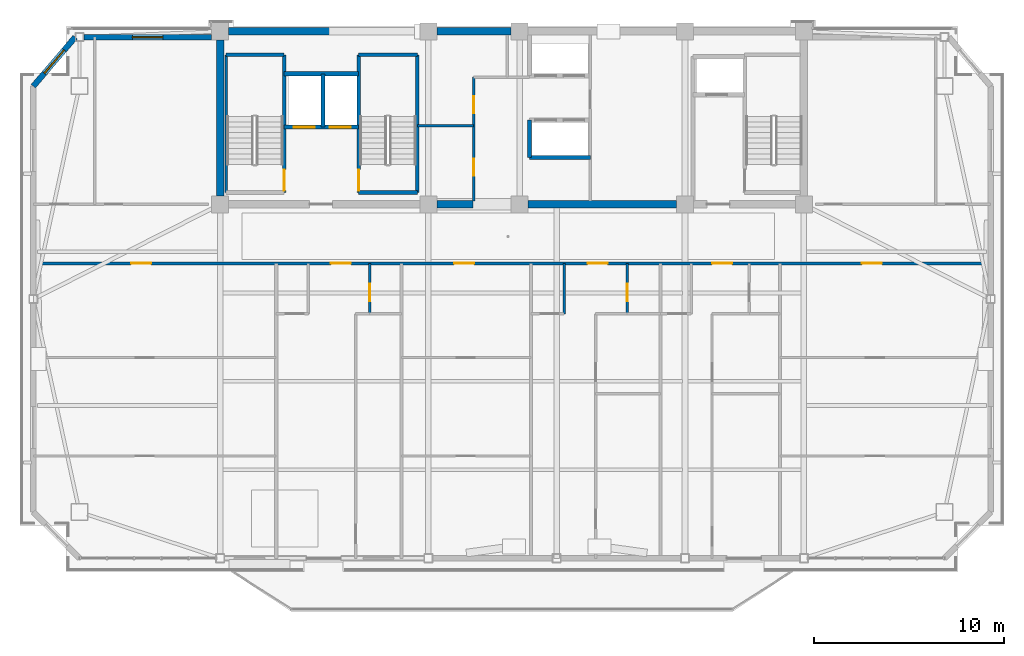
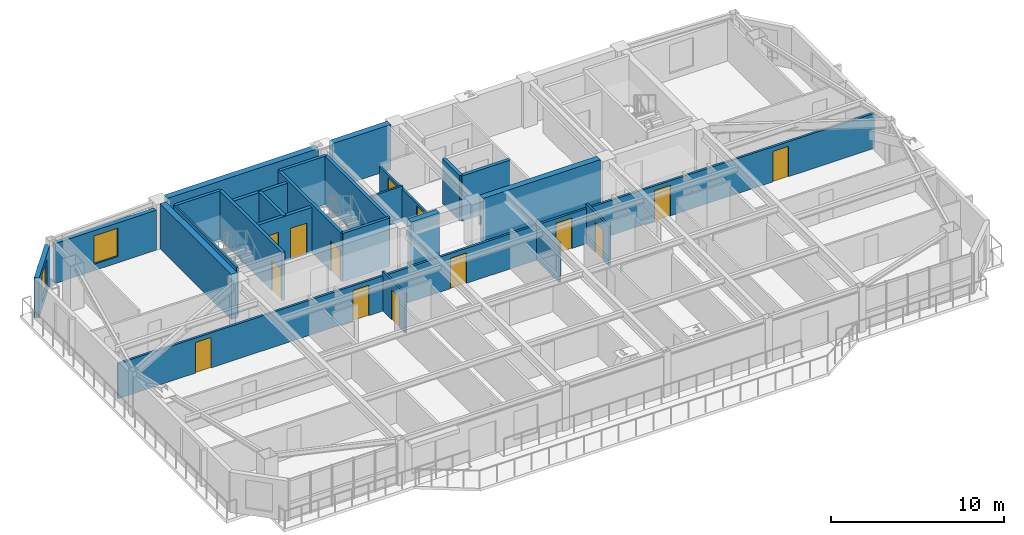
# One storey, part 8 of 15: 25 walls, 14 doors, 2 windows, 16 openings.
"""IFC4 building model written with IfcOpenShell, lengths in metres."""

from ifc_helpers import new_model, si_unit, direction, frame, frame_2d, origin, place, context, subcontext, project, spatial, rectangle, extrude, source, transform, mapped, material, layer, layer_set, type_object, element, fill, save


model = new_model("IFC4")

# Units and contexts
model_context = context("Model", 3, precision=1e-05, world=origin(), true_north=direction((0.0, 1.0)))
body_context = subcontext(model_context, "Body", "Model", "MODEL_VIEW")
ifc_project = project(units=[si_unit("LENGTHUNIT", "METRE"), si_unit("AREAUNIT", "SQUARE_METRE"), si_unit("VOLUMEUNIT", "CUBIC_METRE"), si_unit("PLANEANGLEUNIT", "RADIAN"), si_unit("MASSUNIT", "GRAM", prefix="KILO")], contexts=[model_context])

# Site, building, storey
site_placement = place(None, origin())
site = spatial("IfcSite", under=ifc_project, at=site_placement, CompositionType="ELEMENT")
building_placement = place(site_placement, origin())
building = spatial("IfcBuilding", under=site, at=building_placement, Name="Giltprow Tower", CompositionType="ELEMENT")
storey_placement = place(building_placement, frame((0.0, 0.0, 297.199951171875)))
storey = spatial("IfcBuildingStorey", under=building, at=storey_placement, Name="L76", CompositionType="ELEMENT", Elevation=297.199951171875)

# Wall, opening, window
ifc_material_1 = material(Name="Precast concrete C40", Category="concrete")
ifc_layer_1 = layer(ifc_material_1, 0.300048828125, Name="Precast concrete C40")
ifc_layer_set_1 = layer_set([ifc_layer_1], Name="Precast concrete C40")
wall_type_1 = type_object("IfcWallType", Name="EW-NOTCH-CHAMFER-300", PredefinedType="SOLIDWALL", material=ifc_layer_set_1)
wall_1_placement = place(storey_placement, frame((12.22998046875, 46.25, 0.0), z_axis=(0.0, 0.0, 1.0), x_axis=(-0.649724860602, -0.76016945842, 0.0)))
wall_1 = element("IfcWall", 1, at=wall_1_placement, inside=storey, type_object=wall_type_1, Name="L76 Corner Notch Wall NW", PredefinedType="SOLIDWALL", context=body_context, shape_type="SweptSolid", body=[
    extrude(rectangle(XDim=3.395263671875, YDim=0.300048828125, at=frame_2d((1.69775390625, 0.0))), origin(), (0.0, 0.0, 1.0), 2.81494140625),
])
opening_1_placement = place(wall_1_placement, frame((0.89794921875, 0.0, 0.449951171875)))
opening_1 = element("IfcOpeningElement", 2, at=opening_1_placement, cuts=wall_1, Name="Opening WN17", PredefinedType="OPENING", context=body_context, shape_type="SweptSolid", body=[
    extrude(rectangle(XDim=1.60009765625, YDim=2.0, at=frame_2d((0.800048828125, 1.0))), frame((0.0, 0.159912109375, 0.0), z_axis=(0.0, -1.0, 0.0), x_axis=(1.0, 0.0, 0.0)), (0.0, 0.0, 1.0), 0.320068359375),
])
ifc_material_2 = material(Name="Insulated glass", Category="glass")
window_type = type_object("IfcWindowType", Name="WN-COR-1600x2000", PartitioningType="SINGLE_PANEL", PredefinedType="WINDOW", material=ifc_material_2)
shared_shape_1 = source(origin(), body_context, "Body", "SweptSolid", [
    extrude(rectangle(XDim=1.60009765625, YDim=2.0, at=frame_2d((0.800048828125, 1.0))), frame((0.0, 0.030029296875, 0.0), z_axis=(0.0, -1.0, 0.0), x_axis=(1.0, 0.0, 0.0)), (0.0, 0.0, 1.0), 0.06005859375),
])
window_1_placement = place(opening_1_placement, origin())
window_1 = element("IfcWindow", 3, at=window_1_placement, inside=storey, type_object=window_type, Name="L76 Corner Notch Window NW", OverallHeight=2.0, OverallWidth=1.60009765625, PartitioningType="SINGLE_PANEL", PredefinedType="WINDOW", context=body_context, shape_type="MappedRepresentation", body=[
    mapped(shared_shape_1, transform((0.0, 0.0, 0.0), x_axis=(1.0, 0.0, 0.0), y_axis=(0.0, 1.0, 0.0), z_axis=(0.0, 0.0, 1.0), scale=1.0)),
])
fill(opening_1, window_1)

ifc_layer_2 = layer(ifc_material_1, 0.280029296875, Name="Precast concrete C40")
ifc_layer_set_2 = layer_set([ifc_layer_2], Name="Precast concrete C40")
wall_type_2 = type_object("IfcWallType", Name="EW-TOW-BRONZE-280", PredefinedType="SOLIDWALL", material=ifc_layer_set_2)
wall_2_placement = place(storey_placement, frame((12.679931640625, 46.25, 0.0), z_axis=(0.0, 0.0, 1.0), x_axis=(1.0, 0.0, 0.0)))
wall_2 = element("IfcWall", 4, at=wall_2_placement, inside=storey, type_object=wall_type_2, Name="L76 North-West Wing Wall", PredefinedType="SOLIDWALL", context=body_context, shape_type="SweptSolid", body=[
    extrude(rectangle(XDim=6.719970703125, YDim=0.280029296875, at=frame_2d((3.35986328125, 0.0))), origin(), (0.0, 0.0, 1.0), 2.81494140625),
])
opening_2_placement = place(wall_2_placement, frame((2.56005859375, 0.0, 0.449951171875)))
opening_2 = element("IfcOpeningElement", 5, at=opening_2_placement, cuts=wall_2, Name="Opening WN17", PredefinedType="OPENING", context=body_context, shape_type="SweptSolid", body=[
    extrude(rectangle(XDim=1.60009765625, YDim=2.0, at=frame_2d((0.800048828125, 1.0))), frame((0.0, 0.14990234375, 0.0), z_axis=(0.0, -1.0, 0.0), x_axis=(1.0, 0.0, 0.0)), (0.0, 0.0, 1.0), 0.300048828125),
])
window_2_placement = place(opening_2_placement, origin())
window_2 = element("IfcWindow", 6, at=window_2_placement, inside=storey, type_object=window_type, Name="L76 North-West Window", OverallHeight=2.0, OverallWidth=1.60009765625, PartitioningType="SINGLE_PANEL", PredefinedType="WINDOW", context=body_context, shape_type="MappedRepresentation", body=[
    mapped(shared_shape_1, transform((0.0, 0.0, 0.0), x_axis=(1.0, 0.0, 0.0), y_axis=(0.0, 1.0, 0.0), z_axis=(0.0, 0.0, 1.0), scale=1.0)),
])
fill(opening_2, window_2)

# Wall, openings, doors
ifc_material_3 = material(Name="Gypsum stud partition", Category="gypsum")
ifc_layer_3 = layer(ifc_material_3, 0.14990234375, Name="Gypsum stud partition")
ifc_layer_set_3 = layer_set([ifc_layer_3], Name="Gypsum stud partition")
wall_type_3 = type_object("IfcWallType", Name="IW-CORR-150", PredefinedType="PARTITIONING", material=ifc_layer_set_3)
wall_3_placement = place(storey_placement, frame((10.02392578125, 34.35009765625, 0.0), z_axis=(0.0, 0.0, 1.0), x_axis=(1.0, 0.0, 0.0)))
wall_3 = element("IfcWall", 7, at=wall_3_placement, inside=storey, type_object=wall_type_3, Name="L76 Residence Gallery Corridor Wall", PredefinedType="PARTITIONING", context=body_context, shape_type="SweptSolid", body=[
    extrude(rectangle(XDim=50.35205078125, YDim=0.14990234375, at=frame_2d((25.176025390625, 0.0))), origin(), (0.0, 0.0, 1.0), 2.469970703125),
])
opening_3_placement = place(wall_3_placement, frame((5.14794921875, 0.0, 0.0)))
opening_3 = element("IfcOpeningElement", 8, at=opening_3_placement, cuts=wall_3, Name="Opening ID31", PredefinedType="OPENING", context=body_context, shape_type="SweptSolid", body=[
    extrude(rectangle(XDim=1.050048828125, YDim=2.14990234375, at=frame_2d((0.52490234375, 1.074951171875))), frame((0.0, 0.0849609375, 0.0), z_axis=(0.0, -1.0, 0.0), x_axis=(1.0, 0.0, 0.0)), (0.0, 0.0, 1.0), 0.169921875),
])
opening_4_placement = place(wall_3_placement, frame((15.65087890625, 0.0, 0.0)))
opening_4 = element("IfcOpeningElement", 9, at=opening_4_placement, cuts=wall_3, Name="Opening ID31", PredefinedType="OPENING", context=body_context, shape_type="SweptSolid", body=[
    extrude(rectangle(XDim=1.050048828125, YDim=2.14990234375, at=frame_2d((0.52490234375, 1.074951171875))), frame((0.0, 0.0849609375, 0.0), z_axis=(0.0, -1.0, 0.0), x_axis=(1.0, 0.0, 0.0)), (0.0, 0.0, 1.0), 0.169921875),
])
opening_5_placement = place(wall_3_placement, frame((22.12890625, 0.0, 0.0)))
opening_5 = element("IfcOpeningElement", 10, at=opening_5_placement, cuts=wall_3, Name="Opening ID31", PredefinedType="OPENING", context=body_context, shape_type="SweptSolid", body=[
    extrude(rectangle(XDim=1.050048828125, YDim=2.14990234375, at=frame_2d((0.52490234375, 1.074951171875))), frame((0.0, 0.0849609375, 0.0), z_axis=(0.0, -1.0, 0.0), x_axis=(1.0, 0.0, 0.0)), (0.0, 0.0, 1.0), 0.169921875),
])
opening_6_placement = place(wall_3_placement, frame((29.15087890625, 0.0, 0.0)))
opening_6 = element("IfcOpeningElement", 11, at=opening_6_placement, cuts=wall_3, Name="Opening ID31", PredefinedType="OPENING", context=body_context, shape_type="SweptSolid", body=[
    extrude(rectangle(XDim=1.050048828125, YDim=2.14990234375, at=frame_2d((0.52490234375, 1.074951171875))), frame((0.0, 0.0849609375, 0.0), z_axis=(0.0, -1.0, 0.0), x_axis=(1.0, 0.0, 0.0)), (0.0, 0.0, 1.0), 0.169921875),
])
opening_7_placement = place(wall_3_placement, frame((35.700927734375, 0.0, 0.0)))
opening_7 = element("IfcOpeningElement", 12, at=opening_7_placement, cuts=wall_3, Name="Opening ID31", PredefinedType="OPENING", context=body_context, shape_type="SweptSolid", body=[
    extrude(rectangle(XDim=1.050048828125, YDim=2.14990234375, at=frame_2d((0.52490234375, 1.074951171875))), frame((0.0, 0.0849609375, 0.0), z_axis=(0.0, -1.0, 0.0), x_axis=(1.0, 0.0, 0.0)), (0.0, 0.0, 1.0), 0.169921875),
])
opening_8_placement = place(wall_3_placement, frame((43.577880859375, 0.0, 0.0)))
opening_8 = element("IfcOpeningElement", 13, at=opening_8_placement, cuts=wall_3, Name="Opening ID31", PredefinedType="OPENING", context=body_context, shape_type="SweptSolid", body=[
    extrude(rectangle(XDim=1.050048828125, YDim=2.14990234375, at=frame_2d((0.52490234375, 1.074951171875))), frame((0.0, 0.0849609375, 0.0), z_axis=(0.0, -1.0, 0.0), x_axis=(1.0, 0.0, 0.0)), (0.0, 0.0, 1.0), 0.169921875),
])
ifc_material_4 = material(Name="Engineered timber", Category="wood")
door_type_1 = type_object("IfcDoorType", Name="DR-SUITE-1050", OperationType="SINGLE_SWING_LEFT", PredefinedType="DOOR", material=ifc_material_4)
shared_shape_2 = source(origin(), body_context, "Body", "SweptSolid", [
    extrude(rectangle(XDim=1.050048828125, YDim=2.14990234375, at=frame_2d((0.52490234375, 1.074951171875))), frame((0.0, 0.02490234375, 0.0), z_axis=(0.0, -1.0, 0.0), x_axis=(1.0, 0.0, 0.0)), (0.0, 0.0, 1.0), 0.050048828125),
])
door_1_placement = place(opening_3_placement, origin())
door_1 = element("IfcDoor", 14, at=door_1_placement, inside=storey, type_object=door_type_1, Name="L76 Altitude Pilates Gym 1 North Door", OperationType="SINGLE_SWING_RIGHT", OverallHeight=2.14990234375, OverallWidth=1.050048828125, PredefinedType="DOOR", context=body_context, shape_type="MappedRepresentation", body=[
    mapped(shared_shape_2, transform((0.0, 0.0, 0.0), x_axis=(1.0, 0.0, 0.0), y_axis=(0.0, 1.0, 0.0), z_axis=(0.0, 0.0, 1.0), scale=1.0)),
])
fill(opening_3, door_1)
door_2_placement = place(opening_4_placement, origin())
door_2 = element("IfcDoor", 15, at=door_2_placement, inside=storey, type_object=door_type_1, Name="L76 Unit 1 Entrance Door", OperationType="SINGLE_SWING_LEFT", OverallHeight=2.14990234375, OverallWidth=1.050048828125, PredefinedType="DOOR", context=body_context, shape_type="MappedRepresentation", body=[
    mapped(shared_shape_2, transform((0.0, 0.0, 0.0), x_axis=(1.0, 0.0, 0.0), y_axis=(0.0, 1.0, 0.0), z_axis=(0.0, 0.0, 1.0), scale=1.0)),
])
fill(opening_4, door_2)
door_3_placement = place(opening_5_placement, origin())
door_3 = element("IfcDoor", 16, at=door_3_placement, inside=storey, type_object=door_type_1, Name="L76 Meditation Gym 2 North Door", OperationType="SINGLE_SWING_LEFT", OverallHeight=2.14990234375, OverallWidth=1.050048828125, PredefinedType="DOOR", context=body_context, shape_type="MappedRepresentation", body=[
    mapped(shared_shape_2, transform((0.0, 0.0, 0.0), x_axis=(1.0, 0.0, 0.0), y_axis=(0.0, 1.0, 0.0), z_axis=(0.0, 0.0, 1.0), scale=1.0)),
])
fill(opening_5, door_3)
door_4_placement = place(opening_6_placement, origin())
door_4 = element("IfcDoor", 17, at=door_4_placement, inside=storey, type_object=door_type_1, Name="L76 Unit 2 Entrance Door", OperationType="SINGLE_SWING_RIGHT", OverallHeight=2.14990234375, OverallWidth=1.050048828125, PredefinedType="DOOR", context=body_context, shape_type="MappedRepresentation", body=[
    mapped(shared_shape_2, transform((0.0, 0.0, 0.0), x_axis=(1.0, 0.0, 0.0), y_axis=(0.0, 1.0, 0.0), z_axis=(0.0, 0.0, 1.0), scale=1.0)),
])
fill(opening_6, door_4)
door_5_placement = place(opening_7_placement, origin())
door_5 = element("IfcDoor", 18, at=door_5_placement, inside=storey, type_object=door_type_1, Name="L76 Unit 3 Entrance Door", OperationType="SINGLE_SWING_LEFT", OverallHeight=2.14990234375, OverallWidth=1.050048828125, PredefinedType="DOOR", context=body_context, shape_type="MappedRepresentation", body=[
    mapped(shared_shape_2, transform((0.0, 0.0, 0.0), x_axis=(1.0, 0.0, 0.0), y_axis=(0.0, 1.0, 0.0), z_axis=(0.0, 0.0, 1.0), scale=1.0)),
])
fill(opening_7, door_5)
door_6_placement = place(opening_8_placement, origin())
door_6 = element("IfcDoor", 19, at=door_6_placement, inside=storey, type_object=door_type_1, Name="L76 Sky Yoga Gym 3 North Door", OperationType="SINGLE_SWING_RIGHT", OverallHeight=2.14990234375, OverallWidth=1.050048828125, PredefinedType="DOOR", context=body_context, shape_type="MappedRepresentation", body=[
    mapped(shared_shape_2, transform((0.0, 0.0, 0.0), x_axis=(1.0, 0.0, 0.0), y_axis=(0.0, 1.0, 0.0), z_axis=(0.0, 0.0, 1.0), scale=1.0)),
])
fill(opening_8, door_6)

ifc_material_5 = material(Name="Concrete C40", Category="concrete")
ifc_layer_4 = layer(ifc_material_5, 0.219970703125, Name="Concrete C40")
ifc_layer_set_4 = layer_set([ifc_layer_4], Name="Concrete C40")
wall_type_4 = type_object("IfcWallType", Name="IW-SHAFT-220", PredefinedType="SOLIDWALL", material=ifc_layer_set_4)
wall_4_placement = place(storey_placement, frame((23.219970703125, 41.52001953125, 0.0), z_axis=(0.0, 0.0, 1.0), x_axis=(1.0, 0.0, 0.0)))
wall_4 = element("IfcWall", 20, at=wall_4_placement, inside=storey, type_object=wall_type_4, Name="L76 FFL1 and Service Lift Front Wall", PredefinedType="SOLIDWALL", context=body_context, shape_type="SweptSolid", body=[
    extrude(rectangle(XDim=3.919921875, YDim=0.219970703125, at=frame_2d((1.9599609375, 0.0))), origin(), (0.0, 0.0, 1.0), 3.18505859375),
])
opening_9_placement = place(wall_4_placement, frame((0.5, 0.0, 0.0)))
opening_9 = element("IfcOpeningElement", 21, at=opening_9_placement, cuts=wall_4, Name="Opening LD-11", PredefinedType="OPENING", context=body_context, shape_type="SweptSolid", body=[
    extrude(rectangle(XDim=1.10009765625, YDim=2.199951171875, at=frame_2d((0.550048828125, 1.10009765625))), frame((0.0, 0.119873046875, 0.0), z_axis=(0.0, -1.0, 0.0), x_axis=(1.0, 0.0, 0.0)), (0.0, 0.0, 1.0), 0.239990234375),
])
opening_10_placement = place(wall_4_placement, frame((2.39990234375, 0.0, 0.0)))
opening_10 = element("IfcOpeningElement", 22, at=opening_10_placement, cuts=wall_4, Name="Opening LD-11", PredefinedType="OPENING", context=body_context, shape_type="SweptSolid", body=[
    extrude(rectangle(XDim=1.10009765625, YDim=2.199951171875, at=frame_2d((0.550048828125, 1.10009765625))), frame((0.0, 0.119873046875, 0.0), z_axis=(0.0, -1.0, 0.0), x_axis=(1.0, 0.0, 0.0)), (0.0, 0.0, 1.0), 0.239990234375),
])
ifc_material_6 = material(Name="Stainless steel", Category="steel")
door_type_2 = type_object("IfcDoorType", Name="DR-LIFT-LD1100", OperationType="SLIDING_TO_LEFT", PredefinedType="DOOR", material=ifc_material_6)
shared_shape_3 = source(origin(), body_context, "Body", "SweptSolid", [
    extrude(rectangle(XDim=1.10009765625, YDim=2.199951171875, at=frame_2d((0.550048828125, 1.10009765625))), frame((0.0, 0.02490234375, 0.0), z_axis=(0.0, -1.0, 0.0), x_axis=(1.0, 0.0, 0.0)), (0.0, 0.0, 1.0), 0.050048828125),
])
door_7_placement = place(opening_9_placement, origin())
door_7 = element("IfcDoor", 23, at=door_7_placement, inside=storey, type_object=door_type_2, Name="L76 FFL1 Landing Door", OperationType="SLIDING_TO_LEFT", OverallHeight=2.199951171875, OverallWidth=1.10009765625, PredefinedType="DOOR", context=body_context, shape_type="MappedRepresentation", body=[
    mapped(shared_shape_3, transform((0.0, 0.0, 0.0), x_axis=(1.0, 0.0, 0.0), y_axis=(0.0, 1.0, 0.0), z_axis=(0.0, 0.0, 1.0), scale=1.0)),
])
fill(opening_9, door_7)
door_8_placement = place(opening_10_placement, origin())
door_8 = element("IfcDoor", 24, at=door_8_placement, inside=storey, type_object=door_type_2, Name="L76 SVL1 Landing Door", OperationType="SLIDING_TO_LEFT", OverallHeight=2.199951171875, OverallWidth=1.10009765625, PredefinedType="DOOR", context=body_context, shape_type="MappedRepresentation", body=[
    mapped(shared_shape_3, transform((0.0, 0.0, 0.0), x_axis=(1.0, 0.0, 0.0), y_axis=(0.0, 1.0, 0.0), z_axis=(0.0, 0.0, 1.0), scale=1.0)),
])
fill(opening_10, door_8)

# Walls
wall_5_placement = place(storey_placement, frame((25.260009765625, 41.52001953125, 0.0), z_axis=(0.0, 0.0, 1.0), x_axis=(0.0, 1.0, 0.0)))
element("IfcWall", 25, at=wall_5_placement, inside=storey, type_object=wall_type_4, Name="L76 FFL1-SVL1 Shaft Divider", PredefinedType="SOLIDWALL", context=body_context, shape_type="SweptSolid", body=[
    extrude(rectangle(XDim=2.800048828125, YDim=0.219970703125, at=frame_2d((1.39990234375, 0.0))), origin(), (0.0, 0.0, 1.0), 3.18505859375),
])
wall_6_placement = place(storey_placement, frame((23.219970703125, 44.320068359375, 0.0), z_axis=(0.0, 0.0, 1.0), x_axis=(1.0, 0.0, 0.0)))
element("IfcWall", 26, at=wall_6_placement, inside=storey, type_object=wall_type_4, Name="L76 FFL1-SVL1 Back Shaft Wall", PredefinedType="SOLIDWALL", context=body_context, shape_type="SweptSolid", body=[
    extrude(rectangle(XDim=3.919921875, YDim=0.219970703125, at=frame_2d((1.9599609375, 0.0))), origin(), (0.0, 0.0, 1.0), 3.18505859375),
])
wall_7_placement = place(storey_placement, frame((36.1201171875, 39.919921875, 0.0), z_axis=(0.0, 0.0, 1.0), x_axis=(1.0, 0.0, 0.0)))
element("IfcWall", 27, at=wall_7_placement, inside=storey, type_object=wall_type_4, Name="L76 High-Rise South Lift Back Wall", PredefinedType="SOLIDWALL", context=body_context, shape_type="SweptSolid", body=[
    extrude(rectangle(XDim=3.199951171875, YDim=0.219970703125, at=frame_2d((1.60009765625, 0.0))), origin(), (0.0, 0.0, 1.0), 3.18505859375),
])
wall_8_placement = place(storey_placement, frame((36.1201171875, 39.919921875, 0.0), z_axis=(0.0, 0.0, 1.0), x_axis=(0.0, 1.0, 0.0)))
element("IfcWall", 28, at=wall_8_placement, inside=storey, type_object=wall_type_4, Name="L76 High-Rise South Lift West Closure", PredefinedType="SOLIDWALL", context=body_context, shape_type="SweptSolid", body=[
    extrude(rectangle(XDim=1.9599609375, YDim=0.219970703125, at=frame_2d((0.97998046875, 0.0))), origin(), (0.0, 0.0, 1.0), 3.18505859375),
])
ifc_material_7 = material(Name="Concrete C45", Category="concrete")
ifc_layer_5 = layer(ifc_material_7, 0.139892578125, Name="Concrete C45")
ifc_layer_set_5 = layer_set([ifc_layer_5], Name="Concrete C45")
wall_type_5 = type_object("IfcWallType", Name="IW-STAIR-140", PredefinedType="SOLIDWALL", material=ifc_layer_set_5)
wall_9_placement = place(storey_placement, frame((20.169921875, 38.070068359375, 0.0), z_axis=(0.0, 0.0, 1.0), x_axis=(0.0, 1.0, 0.0)))
element("IfcWall", 29, at=wall_9_placement, inside=storey, type_object=wall_type_5, Name="L76 Stair ST-1 West Bearing Wall", PredefinedType="SOLIDWALL", context=body_context, shape_type="SweptSolid", body=[
    extrude(rectangle(XDim=7.25, YDim=0.139892578125, at=frame_2d((3.625, 0.0))), origin(), (0.0, 0.0, 1.0), 3.400146484375),
])

# Wall, opening, door
ifc_layer_6 = layer(ifc_material_5, 0.199951171875, Name="Concrete C40")
ifc_layer_set_6 = layer_set([ifc_layer_6], Name="Concrete C40")
wall_type_6 = type_object("IfcWallType", Name="IW-STAIR-200", PredefinedType="SOLIDWALL", material=ifc_layer_set_6)
wall_10_placement = place(storey_placement, frame((23.219970703125, 38.070068359375, 0.0), z_axis=(0.0, 0.0, 1.0), x_axis=(0.0, 1.0, 0.0)))
wall_10 = element("IfcWall", 30, at=wall_10_placement, inside=storey, type_object=wall_type_6, Name="L76 Stair ST-1 East Bearing Wall", PredefinedType="SOLIDWALL", context=body_context, shape_type="SweptSolid", body=[
    extrude(rectangle(XDim=7.25, YDim=0.199951171875, at=frame_2d((3.625, 0.0))), origin(), (0.0, 0.0, 1.0), 3.400146484375),
])
opening_11_placement = place(wall_10_placement, frame((0.110107421875, 0.0, 0.0)))
opening_11 = element("IfcOpeningElement", 31, at=opening_11_placement, cuts=wall_10, Name="Opening ID33", PredefinedType="OPENING", context=body_context, shape_type="SweptSolid", body=[
    extrude(rectangle(XDim=1.10009765625, YDim=2.14990234375, at=frame_2d((0.550048828125, 1.074951171875))), frame((0.0, 0.10986328125, 0.0), z_axis=(0.0, -1.0, 0.0), x_axis=(1.0, 0.0, 0.0)), (0.0, 0.0, 1.0), 0.219970703125),
])
ifc_material_8 = material(Name="Steel fire leaf", Category="steel")
door_type_3 = type_object("IfcDoorType", Name="DR-STAIR-1100", OperationType="SINGLE_SWING_LEFT", PredefinedType="DOOR", material=ifc_material_8)
shared_shape_4 = source(origin(), body_context, "Body", "SweptSolid", [
    extrude(rectangle(XDim=1.10009765625, YDim=2.14990234375, at=frame_2d((0.550048828125, 1.074951171875))), frame((0.0, 0.02490234375, 0.0), z_axis=(0.0, -1.0, 0.0), x_axis=(1.0, 0.0, 0.0)), (0.0, 0.0, 1.0), 0.050048828125),
])
door_9_placement = place(opening_11_placement, origin())
door_9 = element("IfcDoor", 32, at=door_9_placement, inside=storey, type_object=door_type_3, Name="L76 Stair ST-1 Fire Door", OperationType="SINGLE_SWING_RIGHT", OverallHeight=2.14990234375, OverallWidth=1.10009765625, PredefinedType="DOOR", context=body_context, shape_type="MappedRepresentation", body=[
    mapped(shared_shape_4, transform((0.0, 0.0, 0.0), x_axis=(1.0, 0.0, 0.0), y_axis=(0.0, 1.0, 0.0), z_axis=(0.0, 0.0, 1.0), scale=1.0)),
])
fill(opening_11, door_9)

# Wall
wall_11_placement = place(storey_placement, frame((20.169921875, 45.320068359375, 0.0), z_axis=(0.0, 0.0, 1.0), x_axis=(1.0, 0.0, 0.0)))
element("IfcWall", 33, at=wall_11_placement, inside=storey, type_object=wall_type_6, Name="L76 Stair ST-1 North Bearing Wall", PredefinedType="SOLIDWALL", context=body_context, shape_type="SweptSolid", body=[
    extrude(rectangle(XDim=3.050048828125, YDim=0.199951171875, at=frame_2d((1.52490234375, 0.0))), origin(), (0.0, 0.0, 1.0), 3.400146484375),
])

# Wall, opening, door
wall_12_placement = place(storey_placement, frame((27.139892578125, 38.070068359375, 0.0), z_axis=(0.0, 0.0, 1.0), x_axis=(0.0, 1.0, 0.0)))
wall_12 = element("IfcWall", 34, at=wall_12_placement, inside=storey, type_object=wall_type_6, Name="L76 Stair ST-2 West Bearing Wall", PredefinedType="SOLIDWALL", context=body_context, shape_type="SweptSolid", body=[
    extrude(rectangle(XDim=7.25, YDim=0.199951171875, at=frame_2d((3.625, 0.0))), origin(), (0.0, 0.0, 1.0), 3.400146484375),
])
opening_12_placement = place(wall_12_placement, frame((0.110107421875, 0.0, 0.0)))
opening_12 = element("IfcOpeningElement", 35, at=opening_12_placement, cuts=wall_12, Name="Opening ID33", PredefinedType="OPENING", context=body_context, shape_type="SweptSolid", body=[
    extrude(rectangle(XDim=1.10009765625, YDim=2.14990234375, at=frame_2d((0.550048828125, 1.074951171875))), frame((0.0, 0.10986328125, 0.0), z_axis=(0.0, -1.0, 0.0), x_axis=(1.0, 0.0, 0.0)), (0.0, 0.0, 1.0), 0.219970703125),
])
door_10_placement = place(opening_12_placement, origin())
door_10 = element("IfcDoor", 36, at=door_10_placement, inside=storey, type_object=door_type_3, Name="L76 Stair ST-2 Fire Door", OperationType="SINGLE_SWING_LEFT", OverallHeight=2.14990234375, OverallWidth=1.10009765625, PredefinedType="DOOR", context=body_context, shape_type="MappedRepresentation", body=[
    mapped(shared_shape_4, transform((0.0, 0.0, 0.0), x_axis=(1.0, 0.0, 0.0), y_axis=(0.0, 1.0, 0.0), z_axis=(0.0, 0.0, 1.0), scale=1.0)),
])
fill(opening_12, door_10)

# Walls
wall_13_placement = place(storey_placement, frame((30.219970703125, 38.070068359375, 0.0), z_axis=(0.0, 0.0, 1.0), x_axis=(0.0, 1.0, 0.0)))
element("IfcWall", 37, at=wall_13_placement, inside=storey, type_object=wall_type_6, Name="L76 Stair ST-2 East Bearing Wall", PredefinedType="SOLIDWALL", context=body_context, shape_type="SweptSolid", body=[
    extrude(rectangle(XDim=7.25, YDim=0.199951171875, at=frame_2d((3.625, 0.0))), origin(), (0.0, 0.0, 1.0), 3.400146484375),
])
for number, where, z_axis, x_axis, name in (
    (38, (27.139892578125, 45.320068359375, 0.0), (0.0, 0.0, 1.0), (1.0, 0.0, 0.0), "L76 Stair ST-2 North Bearing Wall"),
    (39, (27.139892578125, 38.070068359375, 0.0), (0.0, 0.0, 1.0), (1.0, 0.0, 0.0), "L76 Stair ST-2 South Bearing Wall"),
):
    element("IfcWall", number, at=place(storey_placement, frame(where, z_axis=z_axis, x_axis=x_axis)), inside=storey, type_object=wall_type_6, Name=name, PredefinedType="SOLIDWALL", context=body_context, shape_type="SweptSolid", body=[
        extrude(rectangle(XDim=3.080078125, YDim=0.199951171875, at=frame_2d((1.5400390625, 0.0))), origin(), (0.0, 0.0, 1.0), 3.400146484375),
    ])

# Wall, openings, doors
ifc_material_9 = material(Name="Concrete C30", Category="concrete")
ifc_layer_7 = layer(ifc_material_9, 0.1298828125, Name="Concrete C30")
ifc_layer_set_7 = layer_set([ifc_layer_7], Name="Concrete C30")
wall_type_7 = type_object("IfcWallType", Name="IW-WET-130", PredefinedType="PARTITIONING", material=ifc_layer_set_7)
wall_14_placement = place(storey_placement, frame((33.179931640625, 37.6298828125, 0.0), z_axis=(0.0, 0.0, 1.0), x_axis=(0.0, 1.0, 0.0)))
wall_14 = element("IfcWall", 40, at=wall_14_placement, inside=storey, type_object=wall_type_7, Name="L76 Reclaimed West Core Wall", PredefinedType="PARTITIONING", context=body_context, shape_type="SweptSolid", body=[
    extrude(rectangle(XDim=6.52001953125, YDim=0.1298828125, at=frame_2d((3.260009765625, 0.0))), origin(), (0.0, 0.0, 1.0), 2.27001953125),
])
opening_13_placement = place(wall_14_placement, frame((1.320068359375, 0.0, 0.0)))
opening_13 = element("IfcOpeningElement", 41, at=opening_13_placement, cuts=wall_14, Name="Opening ID35", PredefinedType="OPENING", context=body_context, shape_type="SweptSolid", body=[
    extrude(rectangle(XDim=0.89990234375, YDim=2.10009765625, at=frame_2d((0.449951171875, 1.050048828125))), frame((0.0, 0.074951171875, 0.0), z_axis=(0.0, -1.0, 0.0), x_axis=(1.0, 0.0, 0.0)), (0.0, 0.0, 1.0), 0.14990234375),
])
opening_14_placement = place(wall_14_placement, frame((4.6201171875, 0.0, 0.0)))
opening_14 = element("IfcOpeningElement", 42, at=opening_14_placement, cuts=wall_14, Name="Opening ID35", PredefinedType="OPENING", context=body_context, shape_type="SweptSolid", body=[
    extrude(rectangle(XDim=0.89990234375, YDim=2.10009765625, at=frame_2d((0.449951171875, 1.050048828125))), frame((0.0, 0.074951171875, 0.0), z_axis=(0.0, -1.0, 0.0), x_axis=(1.0, 0.0, 0.0)), (0.0, 0.0, 1.0), 0.14990234375),
])
door_type_4 = type_object("IfcDoorType", Name="DR-SHAFT-900", OperationType="SINGLE_SWING_LEFT", PredefinedType="DOOR", material=ifc_material_8)
shared_shape_5 = source(origin(), body_context, "Body", "SweptSolid", [
    extrude(rectangle(XDim=0.89990234375, YDim=2.10009765625, at=frame_2d((0.449951171875, 1.050048828125))), frame((0.0, 0.02490234375, 0.0), z_axis=(0.0, -1.0, 0.0), x_axis=(1.0, 0.0, 0.0)), (0.0, 0.0, 1.0), 0.050048828125),
])
door_11_placement = place(opening_13_placement, origin())
door_11 = element("IfcDoor", 43, at=door_11_placement, inside=storey, type_object=door_type_4, Name="L76 Core Powder Room Door", OperationType="SINGLE_SWING_LEFT", OverallHeight=2.10009765625, OverallWidth=0.89990234375, PredefinedType="DOOR", context=body_context, shape_type="MappedRepresentation", body=[
    mapped(shared_shape_5, transform((0.0, 0.0, 0.0), x_axis=(1.0, 0.0, 0.0), y_axis=(0.0, 1.0, 0.0), z_axis=(0.0, 0.0, 1.0), scale=1.0)),
])
fill(opening_13, door_11)
door_12_placement = place(opening_14_placement, origin())
door_12 = element("IfcDoor", 44, at=door_12_placement, inside=storey, type_object=door_type_4, Name="L76 Core Valet Pantry Door", OperationType="SINGLE_SWING_RIGHT", OverallHeight=2.10009765625, OverallWidth=0.89990234375, PredefinedType="DOOR", context=body_context, shape_type="MappedRepresentation", body=[
    mapped(shared_shape_5, transform((0.0, 0.0, 0.0), x_axis=(1.0, 0.0, 0.0), y_axis=(0.0, 1.0, 0.0), z_axis=(0.0, 0.0, 1.0), scale=1.0)),
])
fill(opening_14, door_12)

# Wall
wall_15_placement = place(storey_placement, frame((30.219970703125, 41.60009765625, 0.0), z_axis=(0.0, 0.0, 1.0), x_axis=(1.0, 0.0, 0.0)))
element("IfcWall", 45, at=wall_15_placement, inside=storey, type_object=wall_type_7, Name="L76 West Core Split", PredefinedType="PARTITIONING", context=body_context, shape_type="SweptSolid", body=[
    extrude(rectangle(XDim=2.9599609375, YDim=0.1298828125, at=frame_2d((1.47998046875, 0.0))), origin(), (0.0, 0.0, 1.0), 2.469970703125),
])

# Wall, opening, door
wall_16_placement = place(storey_placement, frame((27.7099609375, 31.699951171875, 0.0), z_axis=(0.0, 0.0, 1.0), x_axis=(0.0, 1.0, 0.0)))
wall_16 = element("IfcWall", 46, at=wall_16_placement, inside=storey, type_object=wall_type_7, Name="L76 Unit 1 Bathroom West Wall", PredefinedType="PARTITIONING", context=body_context, shape_type="SweptSolid", body=[
    extrude(rectangle(XDim=2.650146484375, YDim=0.1298828125, at=frame_2d((1.3251953125, 0.0))), origin(), (0.0, 0.0, 1.0), 2.77001953125),
])
opening_15_placement = place(wall_16_placement, frame((0.669921875, 0.0, 0.0)))
opening_15 = element("IfcOpeningElement", 47, at=opening_15_placement, cuts=wall_16, Name="Opening ID15", PredefinedType="OPENING", context=body_context, shape_type="SweptSolid", body=[
    extrude(rectangle(XDim=0.89990234375, YDim=2.10009765625, at=frame_2d((0.449951171875, 1.050048828125))), frame((0.0, 0.074951171875, 0.0), z_axis=(0.0, -1.0, 0.0), x_axis=(1.0, 0.0, 0.0)), (0.0, 0.0, 1.0), 0.14990234375),
])
door_type_5 = type_object("IfcDoorType", Name="DR-WC-900", OperationType="SINGLE_SWING_LEFT", PredefinedType="DOOR", material=ifc_material_4)
door_13_placement = place(opening_15_placement, origin())
door_13 = element("IfcDoor", 48, at=door_13_placement, inside=storey, type_object=door_type_5, Name="L76 Unit 1 Bathroom Door", OperationType="SINGLE_SWING_LEFT", OverallHeight=2.10009765625, OverallWidth=0.89990234375, PredefinedType="DOOR", context=body_context, shape_type="MappedRepresentation", body=[
    mapped(shared_shape_5, transform((0.0, 0.0, 0.0), x_axis=(1.0, 0.0, 0.0), y_axis=(0.0, 1.0, 0.0), z_axis=(0.0, 0.0, 1.0), scale=1.0)),
])
fill(opening_15, door_13)

# Wall
wall_17_placement = place(storey_placement, frame((37.93994140625, 31.699951171875, 0.0), z_axis=(0.0, 0.0, 1.0), x_axis=(0.0, 1.0, 0.0)))
element("IfcWall", 49, at=wall_17_placement, inside=storey, type_object=wall_type_7, Name="L76 Unit 2 Kitchen East Wall", PredefinedType="PARTITIONING", context=body_context, shape_type="SweptSolid", body=[
    extrude(rectangle(XDim=2.650146484375, YDim=0.1298828125, at=frame_2d((1.3251953125, 0.0))), origin(), (0.0, 0.0, 1.0), 2.77001953125),
])

# Wall, opening, door
wall_18_placement = place(storey_placement, frame((41.260009765625, 31.699951171875, 0.0), z_axis=(0.0, 0.0, 1.0), x_axis=(0.0, 1.0, 0.0)))
wall_18 = element("IfcWall", 50, at=wall_18_placement, inside=storey, type_object=wall_type_7, Name="L76 Unit 2 Bathroom West Wall", PredefinedType="PARTITIONING", context=body_context, shape_type="SweptSolid", body=[
    extrude(rectangle(XDim=2.650146484375, YDim=0.1298828125, at=frame_2d((1.3251953125, 0.0))), origin(), (0.0, 0.0, 1.0), 2.77001953125),
])
opening_16_placement = place(wall_18_placement, frame((0.669921875, 0.0, 0.0)))
opening_16 = element("IfcOpeningElement", 51, at=opening_16_placement, cuts=wall_18, Name="Opening ID15", PredefinedType="OPENING", context=body_context, shape_type="SweptSolid", body=[
    extrude(rectangle(XDim=0.89990234375, YDim=2.10009765625, at=frame_2d((0.449951171875, 1.050048828125))), frame((0.0, 0.074951171875, 0.0), z_axis=(0.0, -1.0, 0.0), x_axis=(1.0, 0.0, 0.0)), (0.0, 0.0, 1.0), 0.14990234375),
])
door_14_placement = place(opening_16_placement, origin())
door_14 = element("IfcDoor", 52, at=door_14_placement, inside=storey, type_object=door_type_5, Name="L76 Unit 2 Bathroom Door", OperationType="SINGLE_SWING_RIGHT", OverallHeight=2.10009765625, OverallWidth=0.89990234375, PredefinedType="DOOR", context=body_context, shape_type="MappedRepresentation", body=[
    mapped(shared_shape_5, transform((0.0, 0.0, 0.0), x_axis=(1.0, 0.0, 0.0), y_axis=(0.0, 1.0, 0.0), z_axis=(0.0, 0.0, 1.0), scale=1.0)),
])
fill(opening_16, door_14)

# Walls
ifc_layer_8 = layer(ifc_material_7, 0.39990234375, Name="Concrete C45")
ifc_layer_set_8 = layer_set([ifc_layer_8], Name="Concrete C45")
wall_type_8 = type_object("IfcWallType", Name="SW-EXT-400-C45", PredefinedType="SHEAR", material=ifc_layer_set_8)
wall_19_placement = place(storey_placement, frame((20.300048828125, 46.550048828125, 0.0), z_axis=(0.0, 0.0, 1.0), x_axis=(1.0, 0.0, 0.0)))
element("IfcWall", 53, at=wall_19_placement, inside=storey, type_object=wall_type_8, Name="L76 North Rear Core Shear Wall 1", PredefinedType="SHEAR", context=body_context, shape_type="SweptSolid", body=[
    extrude(rectangle(XDim=10.050048828125, YDim=0.39990234375, at=frame_2d((5.02490234375, 0.0))), origin(), (0.0, 0.0, 1.0), 3.18505859375),
])
wall_20_placement = place(storey_placement, frame((31.25, 46.550048828125, 0.0), z_axis=(0.0, 0.0, 1.0), x_axis=(1.0, 0.0, 0.0)))
element("IfcWall", 54, at=wall_20_placement, inside=storey, type_object=wall_type_8, Name="L76 North Rear Core Shear Wall 2", PredefinedType="SHEAR", context=body_context, shape_type="SweptSolid", body=[
    extrude(rectangle(XDim=3.89990234375, YDim=0.39990234375, at=frame_2d((1.949951171875, 0.0))), origin(), (0.0, 0.0, 1.0), 3.18505859375),
])
ifc_layer_9 = layer(ifc_material_7, 0.39990234375, Name="Concrete C45")
ifc_layer_set_9 = layer_set([ifc_layer_9], Name="Concrete C45")
wall_type_9 = type_object("IfcWallType", Name="SW-INT-400-C45", PredefinedType="SHEAR", material=ifc_layer_set_9)
wall_21_placement = place(storey_placement, frame((31.25, 37.449951171875, 0.0), z_axis=(0.0, 0.0, 1.0), x_axis=(1.0, 0.0, 0.0)))
element("IfcWall", 55, at=wall_21_placement, inside=storey, type_object=wall_type_9, Name="L76 South Rear Core Shear Wall Mid-West", PredefinedType="SHEAR", context=body_context, shape_type="SweptSolid", body=[
    extrude(rectangle(XDim=1.89990234375, YDim=0.39990234375, at=frame_2d((0.949951171875, 0.0))), origin(), (0.0, 0.0, 1.0), 3.18505859375),
])
wall_22_placement = place(storey_placement, frame((36.050048828125, 37.449951171875, 0.0), z_axis=(0.0, 0.0, 1.0), x_axis=(1.0, 0.0, 0.0)))
element("IfcWall", 56, at=wall_22_placement, inside=storey, type_object=wall_type_9, Name="L76 South Rear Core Shear Wall Mid-East", PredefinedType="SHEAR", context=body_context, shape_type="SweptSolid", body=[
    extrude(rectangle(XDim=7.800048828125, YDim=0.39990234375, at=frame_2d((3.89990234375, 0.0))), origin(), (0.0, 0.0, 1.0), 3.18505859375),
])
wall_23_placement = place(storey_placement, frame((19.85009765625, 37.89990234375, 0.0), z_axis=(0.0, 0.0, 1.0), x_axis=(0.0, 1.0, 0.0)))
element("IfcWall", 57, at=wall_23_placement, inside=storey, type_object=wall_type_9, Name="L76 W Rear Core Shear Wall", PredefinedType="SHEAR", context=body_context, shape_type="SweptSolid", body=[
    extrude(rectangle(XDim=8.2001953125, YDim=0.39990234375, at=frame_2d((4.10009765625, 0.0))), origin(), (0.0, 0.0, 1.0), 3.18505859375),
])

save(model, "model.ifc")
